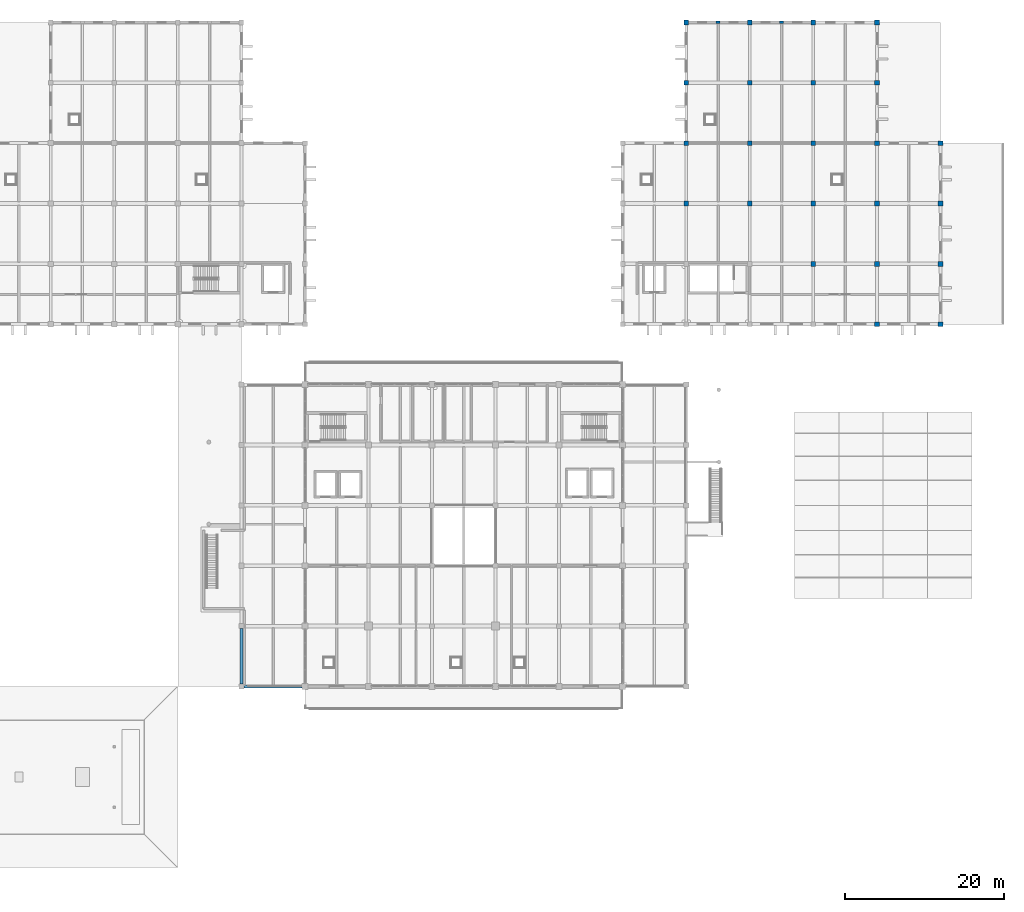
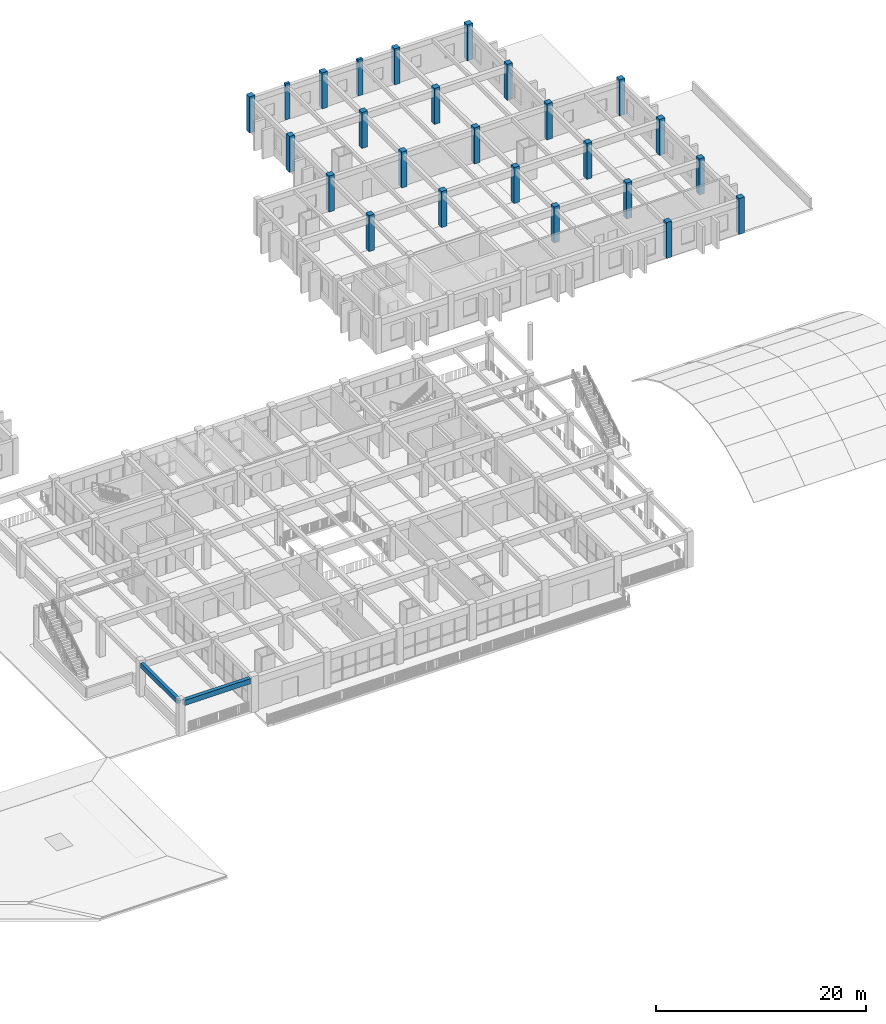
# One storey, part 3 of 63: 25 columns, 2 beams.
"""IFC4 building model written with IfcOpenShell, lengths in metres."""

from ifc_helpers import new_model, si_unit, direction, frame, origin, origin_2d, place, context, subcontext, project, spatial, rectangle, extrude, material, material_profile, profile_set, type_object, element, save


model = new_model("IFC4")

# Units and contexts
model_context = context("Model", 3, precision=1e-05, world=origin(), true_north=direction((0.0, 1.0)))
body_context = subcontext(model_context, "Body", "Model", "MODEL_VIEW")
ifc_project = project(units=[si_unit("LENGTHUNIT", "METRE"), si_unit("AREAUNIT", "SQUARE_METRE"), si_unit("VOLUMEUNIT", "CUBIC_METRE"), si_unit("PLANEANGLEUNIT", "RADIAN"), si_unit("MASSUNIT", "GRAM", prefix="KILO")], contexts=[model_context])

# Site, building, storey
site_placement = place(None, origin())
site = spatial("IfcSite", under=ifc_project, at=site_placement, CompositionType="ELEMENT")
building_placement = place(site_placement, origin())
building = spatial("IfcBuilding", under=site, at=building_placement, Name="Zantavel Square City Hall", CompositionType="ELEMENT")
storey_placement = place(building_placement, frame((0.0, 0.0, 14.699951171875)))
storey = spatial("IfcBuildingStorey", under=building, at=storey_placement, Name="L04", CompositionType="ELEMENT", Elevation=14.699951171875)

# Columns
ifc_material_1 = material(Name="Concrete C40/50", Category="concrete")
ifc_material_profile_1 = material_profile(ifc_material_1, rectangle(XDim=0.60009765625, YDim=0.60009765625, at=origin_2d()), Name="RC 600x600")
ifc_profile_set_1 = profile_set([ifc_material_profile_1], Name="Concrete C40/50")
column_type_1 = type_object("IfcColumnType", Name="Column RC 600x600 C40/50", PredefinedType="COLUMN", material=ifc_profile_set_1)
for number, where, z_axis, x_axis, name in (
    (1, (112.0, 91.199951171875, 0.0), (0.0, 0.0, 1.0), (1.0, 0.0, 0.0), "L04 Column COL-L04-1120-0912"),
    (2, (112.0, 98.800048828125, 0.0), (0.0, 0.0, 1.0), (1.0, 0.0, 0.0), "L04 Column COL-L04-1120-0988"),
    (3, (112.0, 106.39990234375, 0.0), (0.0, 0.0, 1.0), (1.0, 0.0, 0.0), "L04 Column COL-L04-1120-1064"),
    (4, (112.0, 114.0, 0.0), (0.0, 0.0, 1.0), (1.0, 0.0, 0.0), "L04 Column COL-L04-1120-1140"),
    (5, (120.0, 91.199951171875, 0.0), (0.0, 0.0, 1.0), (1.0, 0.0, 0.0), "L04 Column COL-L04-1200-0912"),
    (6, (120.0, 98.800048828125, 0.0), (0.0, 0.0, 1.0), (1.0, 0.0, 0.0), "L04 Column COL-L04-1200-0988"),
    (7, (120.0, 106.39990234375, 0.0), (0.0, 0.0, 1.0), (1.0, 0.0, 0.0), "L04 Column COL-L04-1200-1064"),
    (8, (120.0, 114.0, 0.0), (0.0, 0.0, 1.0), (1.0, 0.0, 0.0), "L04 Column COL-L04-1200-1140"),
    (9, (128.0, 83.60009765625, 0.0), (0.0, 0.0, 1.0), (1.0, 0.0, 0.0), "L04 Column COL-L04-1280-0836"),
    (10, (128.0, 91.199951171875, 0.0), (0.0, 0.0, 1.0), (1.0, 0.0, 0.0), "L04 Column COL-L04-1280-0912"),
    (11, (128.0, 98.800048828125, 0.0), (0.0, 0.0, 1.0), (1.0, 0.0, 0.0), "L04 Column COL-L04-1280-0988"),
    (12, (128.0, 106.39990234375, 0.0), (0.0, 0.0, 1.0), (1.0, 0.0, 0.0), "L04 Column COL-L04-1280-1064"),
    (13, (128.0, 114.0, 0.0), (0.0, 0.0, 1.0), (1.0, 0.0, 0.0), "L04 Column COL-L04-1280-1140"),
    (14, (136.0, 76.0, 0.0), (0.0, 0.0, 1.0), (1.0, 0.0, 0.0), "L04 Column COL-L04-1360-0760"),
    (15, (136.0, 83.60009765625, 0.0), (0.0, 0.0, 1.0), (1.0, 0.0, 0.0), "L04 Column COL-L04-1360-0836"),
    (16, (136.0, 91.199951171875, 0.0), (0.0, 0.0, 1.0), (1.0, 0.0, 0.0), "L04 Column COL-L04-1360-0912"),
    (17, (136.0, 98.800048828125, 0.0), (0.0, 0.0, 1.0), (1.0, 0.0, 0.0), "L04 Column COL-L04-1360-0988"),
    (18, (136.0, 106.39990234375, 0.0), (0.0, 0.0, 1.0), (1.0, 0.0, 0.0), "L04 Column COL-L04-1360-1064"),
    (19, (136.0, 114.0, 0.0), (0.0, 0.0, 1.0), (1.0, 0.0, 0.0), "L04 Column COL-L04-1360-1140"),
    (20, (144.0, 76.0, 0.0), (0.0, 0.0, 1.0), (1.0, 0.0, 0.0), "L04 Column COL-L04-1440-0760"),
    (21, (144.0, 83.60009765625, 0.0), (0.0, 0.0, 1.0), (1.0, 0.0, 0.0), "L04 Column COL-L04-1440-0836"),
    (22, (144.0, 91.199951171875, 0.0), (0.0, 0.0, 1.0), (1.0, 0.0, 0.0), "L04 Column COL-L04-1440-0912"),
    (23, (144.0, 98.800048828125, 0.0), (0.0, 0.0, 1.0), (1.0, 0.0, 0.0), "L04 Column COL-L04-1440-0988"),
):
    element("IfcColumn", number, at=place(storey_placement, frame(where, z_axis=z_axis, x_axis=x_axis)), inside=storey, type_object=column_type_1, Name=name, PredefinedType="COLUMN", context=body_context, shape_type="SweptSolid", body=[
        extrude(rectangle(XDim=0.60009765625, YDim=0.60009765625, at=origin_2d()), origin(), (0.0, 0.0, 1.0), 4.199951171875),
    ])
ifc_material_profile_2 = material_profile(ifc_material_1, rectangle(XDim=0.5, YDim=0.300048828125, at=origin_2d()), Name="RC 500x300")
ifc_profile_set_2 = profile_set([ifc_material_profile_2], Name="Concrete C40/50")
column_type_2 = type_object("IfcColumnType", Name="Courtyard Stone Pilaster 500x300 C40/50", PredefinedType="PILASTER", material=ifc_profile_set_2)
column_1_placement = place(storey_placement, frame((116.0, 114.0, 0.0), z_axis=(0.0, 0.0, 1.0), x_axis=(1.0, 0.0, 0.0)))
element("IfcColumn", 24, at=column_1_placement, inside=storey, type_object=column_type_2, Name="L04 Facade Pilaster PIL-L04-1160-1140", PredefinedType="PILASTER", context=body_context, shape_type="SweptSolid", body=[
    extrude(rectangle(XDim=0.5, YDim=0.300048828125, at=origin_2d()), origin(), (0.0, 0.0, 1.0), 4.199951171875),
])
ifc_material_profile_3 = material_profile(ifc_material_1, rectangle(XDim=0.550048828125, YDim=0.320068359375, at=origin_2d()), Name="RC 550x320")
ifc_profile_set_3 = profile_set([ifc_material_profile_3], Name="Concrete C40/50")
column_type_3 = type_object("IfcColumnType", Name="North Wing Stone Pilaster 550x320 C40/50", PredefinedType="PILASTER", material=ifc_profile_set_3)
column_2_placement = place(storey_placement, frame((124.0, 114.0, 0.0), z_axis=(0.0, 0.0, 1.0), x_axis=(1.0, 0.0, 0.0)))
element("IfcColumn", 25, at=column_2_placement, inside=storey, type_object=column_type_3, Name="L04 Facade Pilaster PIL-L04-1240-1140", PredefinedType="PILASTER", context=body_context, shape_type="SweptSolid", body=[
    extrude(rectangle(XDim=0.550048828125, YDim=0.320068359375, at=origin_2d()), origin(), (0.0, 0.0, 1.0), 4.199951171875),
])

# Beams
ifc_material_2 = material(Name="Concrete C35/45", Category="concrete")
ifc_material_profile_4 = material_profile(ifc_material_2, rectangle(XDim=0.39990234375, YDim=0.60009765625, at=origin_2d()), Name="RC 400x600")
ifc_profile_set_4 = profile_set([ifc_material_profile_4], Name="Concrete C35/45")
beam_type_1 = type_object("IfcBeamType", Name="Perimeter Spandrel RC 400x600 C35/45", PredefinedType="SPANDREL", material=ifc_profile_set_4)
beam_1_placement = place(storey_placement, frame((56.324951171875, 30.39990234375, 3.6201171875), z_axis=(1.0, 0.0, 0.0), x_axis=(0.0, 1.0, 0.0)))
element("IfcBeam", 26, at=beam_1_placement, inside=storey, type_object=beam_type_1, Name="L04 Girder BMX-L04-0560-0304", PredefinedType="SPANDREL", context=body_context, shape_type="SweptSolid", body=[
    extrude(rectangle(XDim=0.39990234375, YDim=0.60009765625, at=origin_2d()), origin(), (0.0, 0.0, 1.0), 7.300048828125),
])
ifc_material_profile_5 = material_profile(ifc_material_2, rectangle(XDim=0.35009765625, YDim=0.550048828125, at=origin_2d()), Name="RC 350x550")
ifc_profile_set_5 = profile_set([ifc_material_profile_5], Name="Concrete C35/45")
beam_type_2 = type_object("IfcBeamType", Name="Secondary Beam RC 350x550 C35/45", PredefinedType="BEAM", material=ifc_profile_set_5)
beam_2_placement = place(storey_placement, frame((56.0, 30.72509765625, 3.64501953125), z_axis=(0.0, 1.0, 0.0), x_axis=(-1.0, 0.0, 0.0)))
element("IfcBeam", 27, at=beam_2_placement, inside=storey, type_object=beam_type_2, Name="L04 Beam BMY-L04-0560-0304", PredefinedType="BEAM", context=body_context, shape_type="SweptSolid", body=[
    extrude(rectangle(XDim=0.35009765625, YDim=0.550048828125, at=origin_2d()), origin(), (0.0, 0.0, 1.0), 6.949951171875),
])

save(model, "model.ifc")
